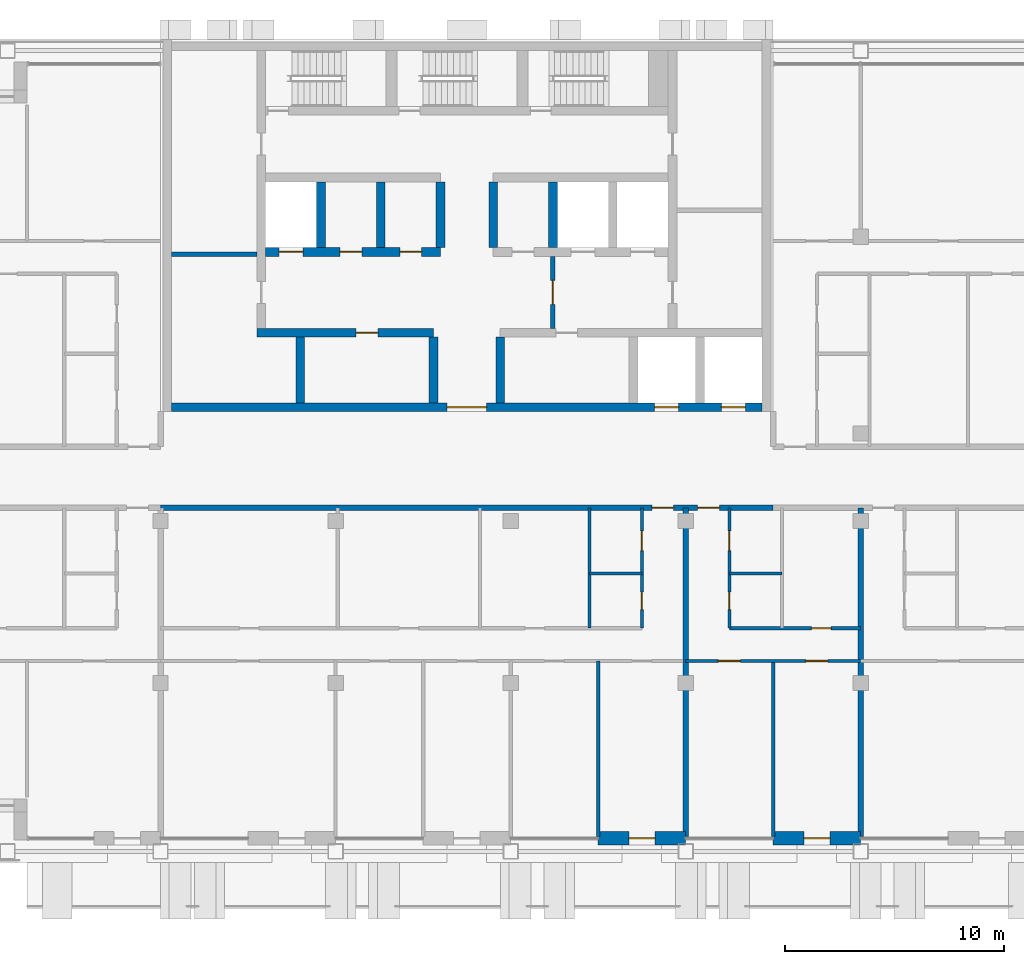
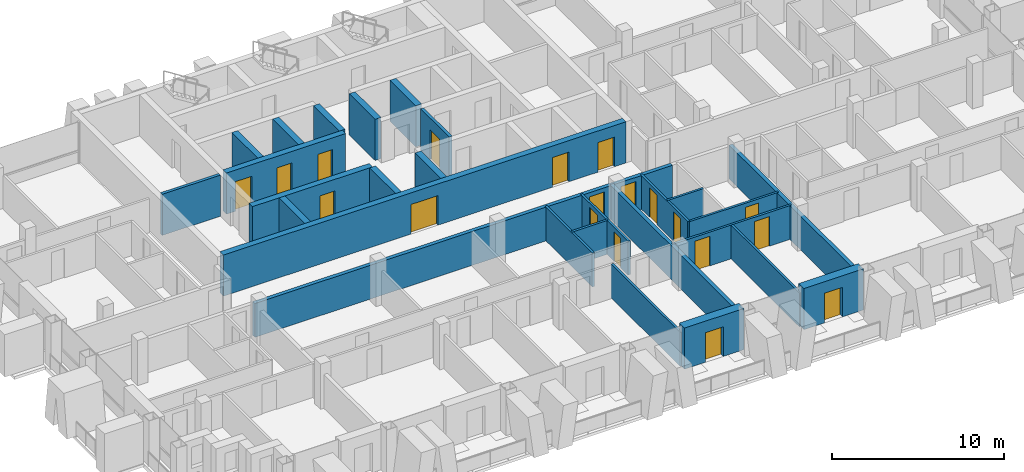
# One storey, part 9 of 16: 27 walls, 19 doors, 19 openings.
"""IFC4 building model written with IfcOpenShell, lengths in metres."""

from ifc_helpers import new_model, si_unit, direction, frame, frame_2d, origin, place, context, subcontext, project, spatial, rectangle, extrude, material, layer, layer_set, type_object, element, fill, save


model = new_model("IFC4")

# Units and contexts
model_context = context("Model", 3, precision=1e-05, world=origin(), true_north=direction((0.0, 1.0)))
body_context = subcontext(model_context, "Body", "Model", "MODEL_VIEW")
ifc_project = project(units=[si_unit("LENGTHUNIT", "METRE"), si_unit("AREAUNIT", "SQUARE_METRE"), si_unit("VOLUMEUNIT", "CUBIC_METRE"), si_unit("PLANEANGLEUNIT", "RADIAN"), si_unit("MASSUNIT", "GRAM", prefix="KILO")], contexts=[model_context])

# Site, building, storey
site_placement = place(None, origin())
site = spatial("IfcSite", under=ifc_project, at=site_placement, CompositionType="ELEMENT")
building_placement = place(site_placement, origin())
building = spatial("IfcBuilding", under=site, at=building_placement, Name="Vidyagriha Tower", CompositionType="ELEMENT")
storey_placement = place(building_placement, frame((0.0, 0.0, 187.699951171875)))
storey = spatial("IfcBuildingStorey", under=building, at=storey_placement, Name="L49", CompositionType="ELEMENT", Elevation=187.699951171875)

# Wall, opening, door
ifc_material_1 = material(Name="Precast concrete C40/50 with brick facing", Category="concrete")
ifc_layer_1 = layer(ifc_material_1, 0.60009765625)
ifc_layer_set_1 = layer_set([ifc_layer_1], Name="Precast concrete C40/50 with brick facing")
wall_type_1 = type_object("IfcWallType", Name="Brick-faced precast wall 600", PredefinedType="STANDARD", material=ifc_layer_set_1)
wall_1_placement = place(storey_placement, frame((6.0, -16.5, 0.0)))
wall_1 = element("IfcWall", 1, at=wall_1_placement, inside=storey, type_object=wall_type_1, Name="Brick door bay wall L49 R23.8", PredefinedType="STANDARD", context=body_context, shape_type="SweptSolid", body=[
    extrude(rectangle(XDim=4.0, YDim=0.60009765625, at=frame_2d((2.0, 0.0))), origin(), (0.0, 0.0, 1.0), 2.920166015625),
])
opening_1_placement = place(wall_1_placement, frame((1.39990234375, 0.0, 0.0)))
opening_1 = element("IfcOpeningElement", 2, at=opening_1_placement, cuts=wall_1, Name="Opening D49-72", PredefinedType="OPENING", context=body_context, shape_type="SweptSolid", body=[
    extrude(rectangle(XDim=1.199951171875, YDim=2.10009765625, at=frame_2d((0.60009765625, 1.050048828125))), frame((0.0, 0.31005859375, 0.0), z_axis=(0.0, -1.0, 0.0), x_axis=(1.0, 0.0, 0.0)), (0.0, 0.0, 1.0), 0.6201171875),
])
ifc_material_2 = material(Name="Aluminium framed glazed sliding door", Category="aluminium")
door_type_1 = type_object("IfcDoorType", Name="Balcony sliding door 1200x2100", OperationType="NOTDEFINED", PredefinedType="DOOR", material=ifc_material_2)
door_1_placement = place(opening_1_placement, origin())
door_1 = element("IfcDoor", 3, at=door_1_placement, inside=storey, type_object=door_type_1, Name="Door D49-72", OperationType="SLIDING_TO_LEFT", OverallHeight=2.10009765625, OverallWidth=1.199951171875, PredefinedType="DOOR", context=body_context, shape_type="SweptSolid", body=[
    extrude(rectangle(XDim=1.199951171875, YDim=2.10009765625, at=frame_2d((0.60009765625, 1.050048828125))), frame((0.0, 0.02490234375, 0.0), z_axis=(0.0, -1.0, 0.0), x_axis=(1.0, 0.0, 0.0)), (0.0, 0.0, 1.0), 0.050048828125),
])
fill(opening_1, door_1)

wall_2_placement = place(storey_placement, frame((14.0, -16.5, 0.0)))
wall_2 = element("IfcWall", 4, at=wall_2_placement, inside=storey, type_object=wall_type_1, Name="Brick door bay wall L49 R23.10", PredefinedType="STANDARD", context=body_context, shape_type="SweptSolid", body=[
    extrude(rectangle(XDim=4.0, YDim=0.60009765625, at=frame_2d((2.0, 0.0))), origin(), (0.0, 0.0, 1.0), 2.920166015625),
])
opening_2_placement = place(wall_2_placement, frame((1.39990234375, 0.0, 0.0)))
opening_2 = element("IfcOpeningElement", 5, at=opening_2_placement, cuts=wall_2, Name="Opening D49-73", PredefinedType="OPENING", context=body_context, shape_type="SweptSolid", body=[
    extrude(rectangle(XDim=1.199951171875, YDim=2.10009765625, at=frame_2d((0.60009765625, 1.050048828125))), frame((0.0, 0.31005859375, 0.0), z_axis=(0.0, -1.0, 0.0), x_axis=(1.0, 0.0, 0.0)), (0.0, 0.0, 1.0), 0.6201171875),
])
door_2_placement = place(opening_2_placement, origin())
door_2 = element("IfcDoor", 6, at=door_2_placement, inside=storey, type_object=door_type_1, Name="Door D49-73", OperationType="SLIDING_TO_LEFT", OverallHeight=2.10009765625, OverallWidth=1.199951171875, PredefinedType="DOOR", context=body_context, shape_type="SweptSolid", body=[
    extrude(rectangle(XDim=1.199951171875, YDim=2.10009765625, at=frame_2d((0.60009765625, 1.050048828125))), frame((0.0, 0.02490234375, 0.0), z_axis=(0.0, -1.0, 0.0), x_axis=(1.0, 0.0, 0.0)), (0.0, 0.0, 1.0), 0.050048828125),
])
fill(opening_2, door_2)

# Wall, openings, doors
ifc_material_3 = material(Name="Concrete C60/75", Category="concrete")
ifc_layer_2 = layer(ifc_material_3, 0.39990234375)
ifc_layer_set_2 = layer_set([ifc_layer_2], Name="Concrete C60/75")
wall_type_2 = type_object("IfcWallType", Name="Core shear wall 400 mm", PredefinedType="SHEAR", material=ifc_layer_set_2)
wall_3_placement = place(storey_placement, frame((-13.5, 3.199951171875, 0.0)))
wall_3 = element("IfcWall", 7, at=wall_3_placement, inside=storey, type_object=wall_type_2, Name="Core front wall", PredefinedType="SHEAR", context=body_context, shape_type="SweptSolid", body=[
    extrude(rectangle(XDim=27.0, YDim=0.39990234375, at=frame_2d((13.5, 0.0))), origin(), (0.0, 0.0, 1.0), 2.920166015625),
])
opening_3_placement = place(wall_3_placement, frame((22.083251953125, 0.0, 0.0)))
opening_3 = element("IfcOpeningElement", 8, at=opening_3_placement, cuts=wall_3, Name="Opening LD49-01", PredefinedType="OPENING", context=body_context, shape_type="SweptSolid", body=[
    extrude(rectangle(XDim=1.10009765625, YDim=2.10009765625, at=frame_2d((0.550048828125, 1.050048828125))), frame((0.0, 0.2099609375, 0.0), z_axis=(0.0, -1.0, 0.0), x_axis=(1.0, 0.0, 0.0)), (0.0, 0.0, 1.0), 0.419921875),
])
opening_4_placement = place(wall_3_placement, frame((25.127685546875, 0.0, 0.0)))
opening_4 = element("IfcOpeningElement", 9, at=opening_4_placement, cuts=wall_3, Name="Opening LD49-02", PredefinedType="OPENING", context=body_context, shape_type="SweptSolid", body=[
    extrude(rectangle(XDim=1.10009765625, YDim=2.10009765625, at=frame_2d((0.550048828125, 1.050048828125))), frame((0.0, 0.2099609375, 0.0), z_axis=(0.0, -1.0, 0.0), x_axis=(1.0, 0.0, 0.0)), (0.0, 0.0, 1.0), 0.419921875),
])
opening_5_placement = place(wall_3_placement, frame((12.60009765625, 0.0, 0.0)))
opening_5 = element("IfcOpeningElement", 10, at=opening_5_placement, cuts=wall_3, Name="Opening D49-01", PredefinedType="OPENING", context=body_context, shape_type="SweptSolid", body=[
    extrude(rectangle(XDim=1.800048828125, YDim=2.10009765625, at=frame_2d((0.89990234375, 1.050048828125))), frame((0.0, 0.2099609375, 0.0), z_axis=(0.0, -1.0, 0.0), x_axis=(1.0, 0.0, 0.0)), (0.0, 0.0, 1.0), 0.419921875),
])
ifc_material_4 = material(Name="Hollow metal door leaf")
door_type_2 = type_object("IfcDoorType", Name="Core lobby double door 1800 x 2100 mm EI 60", OperationType="NOTDEFINED", PredefinedType="DOOR", material=ifc_material_4)
door_3_placement = place(opening_5_placement, frame((1.800048828125, 0.0, 0.0), z_axis=(0.0, 0.0, 1.0), x_axis=(-1.0, 0.0, 0.0)))
door_3 = element("IfcDoor", 11, at=door_3_placement, inside=storey, type_object=door_type_2, Name="Core entrance door L49", OperationType="DOUBLE_DOOR_SINGLE_SWING", OverallHeight=2.10009765625, OverallWidth=1.800048828125, PredefinedType="DOOR", context=body_context, shape_type="SweptSolid", body=[
    extrude(rectangle(XDim=1.800048828125, YDim=2.10009765625, at=frame_2d((0.89990234375, 1.050048828125))), frame((0.0, 0.02490234375, 0.0), z_axis=(0.0, -1.0, 0.0), x_axis=(1.0, 0.0, 0.0)), (0.0, 0.0, 1.0), 0.050048828125),
])
fill(opening_5, door_3)
ifc_material_5 = material(Name="Stainless steel sliding door panel", Category="steel")
door_type_3 = type_object("IfcDoorType", Name="Lift landing door 1100 x 2100 mm EI 90", OperationType="NOTDEFINED", PredefinedType="DOOR", material=ifc_material_5)
door_4_placement = place(opening_3_placement, origin())
door_4 = element("IfcDoor", 12, at=door_4_placement, inside=storey, type_object=door_type_3, Name="Landing door MR1 L49", OperationType="SLIDING_TO_LEFT", OverallHeight=2.10009765625, OverallWidth=1.10009765625, PredefinedType="DOOR", context=body_context, shape_type="SweptSolid", body=[
    extrude(rectangle(XDim=1.10009765625, YDim=2.10009765625, at=frame_2d((0.550048828125, 1.050048828125))), frame((0.0, 0.02490234375, 0.0), z_axis=(0.0, -1.0, 0.0), x_axis=(1.0, 0.0, 0.0)), (0.0, 0.0, 1.0), 0.050048828125),
])
fill(opening_3, door_4)
door_5_placement = place(opening_4_placement, origin())
door_5 = element("IfcDoor", 13, at=door_5_placement, inside=storey, type_object=door_type_3, Name="Landing door MR2 L49", OperationType="SLIDING_TO_LEFT", OverallHeight=2.10009765625, OverallWidth=1.10009765625, PredefinedType="DOOR", context=body_context, shape_type="SweptSolid", body=[
    extrude(rectangle(XDim=1.10009765625, YDim=2.10009765625, at=frame_2d((0.550048828125, 1.050048828125))), frame((0.0, 0.02490234375, 0.0), z_axis=(0.0, -1.0, 0.0), x_axis=(1.0, 0.0, 0.0)), (0.0, 0.0, 1.0), 0.050048828125),
])
fill(opening_4, door_5)

# Wall, opening, door
wall_4_placement = place(storey_placement, frame((-9.60009765625, 6.60009765625, 0.0)))
wall_4 = element("IfcWall", 14, at=wall_4_placement, inside=storey, type_object=wall_type_2, Name="Core lobby south wall west", PredefinedType="SHEAR", context=body_context, shape_type="SweptSolid", body=[
    extrude(rectangle(XDim=8.077880859375, YDim=0.39990234375, at=frame_2d((4.0390625, 0.0))), origin(), (0.0, 0.0, 1.0), 2.920166015625),
])
opening_6_placement = place(wall_4_placement, frame((4.533203125, 0.0, 0.0)))
opening_6 = element("IfcOpeningElement", 15, at=opening_6_placement, cuts=wall_4, Name="Opening D49-02", PredefinedType="OPENING", context=body_context, shape_type="SweptSolid", body=[
    extrude(rectangle(XDim=1.0, YDim=2.10009765625, at=frame_2d((0.5, 1.050048828125))), frame((0.0, 0.2099609375, 0.0), z_axis=(0.0, -1.0, 0.0), x_axis=(1.0, 0.0, 0.0)), (0.0, 0.0, 1.0), 0.419921875),
])
ifc_material_6 = material(Name="Hollow metal door leaf")
door_type_4 = type_object("IfcDoorType", Name="Core room door 1000 x 2100 mm EI 60", OperationType="NOTDEFINED", PredefinedType="DOOR", material=ifc_material_6)
door_6_placement = place(opening_6_placement, origin())
door_6 = element("IfcDoor", 16, at=door_6_placement, inside=storey, type_object=door_type_4, Name="Door Switchgear Room 49.01", OperationType="SINGLE_SWING_RIGHT", OverallHeight=2.10009765625, OverallWidth=1.0, PredefinedType="DOOR", context=body_context, shape_type="SweptSolid", body=[
    extrude(rectangle(XDim=1.0, YDim=2.10009765625, at=frame_2d((0.5, 1.050048828125))), frame((0.0, 0.02490234375, 0.0), z_axis=(0.0, -1.0, 0.0), x_axis=(1.0, 0.0, 0.0)), (0.0, 0.0, 1.0), 0.050048828125),
])
fill(opening_6, door_6)

# Walls
for number, where, z_axis, x_axis, name in (
    (17, (-7.611083984375, 3.39990234375, 0.0), (0.0, 0.0, 1.0), (0.0, 1.0, 0.0), "Core bay wall S2"),
    (18, (-1.522216796875, 3.39990234375, 0.0), (0.0, 0.0, 1.0), (0.0, 1.0, 0.0), "Core bay wall S4"),
    (19, (1.522216796875, 3.39990234375, 0.0), (0.0, 0.0, 1.0), (0.0, 1.0, 0.0), "Core bay wall S5"),
):
    element("IfcWall", number, at=place(storey_placement, frame(where, z_axis=z_axis, x_axis=x_axis)), inside=storey, type_object=wall_type_2, Name=name, PredefinedType="SHEAR", context=body_context, shape_type="SweptSolid", body=[
        extrude(rectangle(XDim=3.0, YDim=0.39990234375, at=frame_2d((1.5, 0.0))), origin(), (0.0, 0.0, 1.0), 2.920166015625),
    ])

# Wall, openings, doors
wall_5_placement = place(storey_placement, frame((-9.199951171875, 10.300048828125, 0.0)))
wall_5 = element("IfcWall", 20, at=wall_5_placement, inside=storey, type_object=wall_type_2, Name="Core row N front wall", PredefinedType="SHEAR", context=body_context, shape_type="SweptSolid", body=[
    extrude(rectangle(XDim=8.0, YDim=0.39990234375, at=frame_2d((4.0, 0.0))), origin(), (0.0, 0.0, 1.0), 2.920166015625),
])
opening_7_placement = place(wall_5_placement, frame((0.61669921875, 0.0, 0.0)))
opening_7 = element("IfcOpeningElement", 21, at=opening_7_placement, cuts=wall_5, Name="Opening LD49-03", PredefinedType="OPENING", context=body_context, shape_type="SweptSolid", body=[
    extrude(rectangle(XDim=1.10009765625, YDim=2.10009765625, at=frame_2d((0.550048828125, 1.050048828125))), frame((0.0, 0.2099609375, 0.0), z_axis=(0.0, -1.0, 0.0), x_axis=(1.0, 0.0, 0.0)), (0.0, 0.0, 1.0), 0.419921875),
])
opening_8_placement = place(wall_5_placement, frame((3.39990234375, 0.0, 0.0)))
opening_8 = element("IfcOpeningElement", 22, at=opening_8_placement, cuts=wall_5, Name="Opening D49-04", PredefinedType="OPENING", context=body_context, shape_type="SweptSolid", body=[
    extrude(rectangle(XDim=1.0, YDim=2.10009765625, at=frame_2d((0.5, 1.050048828125))), frame((0.0, 0.2099609375, 0.0), z_axis=(0.0, -1.0, 0.0), x_axis=(1.0, 0.0, 0.0)), (0.0, 0.0, 1.0), 0.419921875),
])
opening_9_placement = place(wall_5_placement, frame((6.13330078125, 0.0, 0.0)))
opening_9 = element("IfcOpeningElement", 23, at=opening_9_placement, cuts=wall_5, Name="Opening D49-05", PredefinedType="OPENING", context=body_context, shape_type="SweptSolid", body=[
    extrude(rectangle(XDim=1.0, YDim=2.10009765625, at=frame_2d((0.5, 1.050048828125))), frame((0.0, 0.2099609375, 0.0), z_axis=(0.0, -1.0, 0.0), x_axis=(1.0, 0.0, 0.0)), (0.0, 0.0, 1.0), 0.419921875),
])
door_7_placement = place(opening_8_placement, frame((1.0, 0.0, 0.0), z_axis=(0.0, 0.0, 1.0), x_axis=(-1.0, 0.0, 0.0)))
door_7 = element("IfcDoor", 24, at=door_7_placement, inside=storey, type_object=door_type_4, Name="Door Refuse Room 49.14", OperationType="SINGLE_SWING_RIGHT", OverallHeight=2.10009765625, OverallWidth=1.0, PredefinedType="DOOR", context=body_context, shape_type="SweptSolid", body=[
    extrude(rectangle(XDim=1.0, YDim=2.10009765625, at=frame_2d((0.5, 1.050048828125))), frame((0.0, 0.02490234375, 0.0), z_axis=(0.0, -1.0, 0.0), x_axis=(1.0, 0.0, 0.0)), (0.0, 0.0, 1.0), 0.050048828125),
])
fill(opening_8, door_7)
door_8_placement = place(opening_9_placement, frame((1.0, 0.0, 0.0), z_axis=(0.0, 0.0, 1.0), x_axis=(-1.0, 0.0, 0.0)))
door_8 = element("IfcDoor", 25, at=door_8_placement, inside=storey, type_object=door_type_4, Name="Door Pressurisation Plant Room 49.15", OperationType="SINGLE_SWING_LEFT", OverallHeight=2.10009765625, OverallWidth=1.0, PredefinedType="DOOR", context=body_context, shape_type="SweptSolid", body=[
    extrude(rectangle(XDim=1.0, YDim=2.10009765625, at=frame_2d((0.5, 1.050048828125))), frame((0.0, 0.02490234375, 0.0), z_axis=(0.0, -1.0, 0.0), x_axis=(1.0, 0.0, 0.0)), (0.0, 0.0, 1.0), 0.050048828125),
])
fill(opening_9, door_8)
door_9_placement = place(opening_7_placement, origin())
door_9 = element("IfcDoor", 26, at=door_9_placement, inside=storey, type_object=door_type_3, Name="Landing door MR3 L49", OperationType="SLIDING_TO_LEFT", OverallHeight=2.10009765625, OverallWidth=1.10009765625, PredefinedType="DOOR", context=body_context, shape_type="SweptSolid", body=[
    extrude(rectangle(XDim=1.10009765625, YDim=2.10009765625, at=frame_2d((0.550048828125, 1.050048828125))), frame((0.0, 0.02490234375, 0.0), z_axis=(0.0, -1.0, 0.0), x_axis=(1.0, 0.0, 0.0)), (0.0, 0.0, 1.0), 0.050048828125),
])
fill(opening_7, door_9)

# Walls
for number, where, z_axis, x_axis, name in (
    (27, (-6.666748046875, 10.5, 0.0), (0.0, 0.0, 1.0), (0.0, 1.0, 0.0), "Core bay wall N1"),
    (28, (-3.933349609375, 10.5, 0.0), (0.0, 0.0, 1.0), (0.0, 1.0, 0.0), "Core bay wall N2"),
    (29, (-1.199951171875, 10.5, 0.0), (0.0, 0.0, 1.0), (0.0, 1.0, 0.0), "Core bay wall N3"),
    (30, (1.199951171875, 10.5, 0.0), (0.0, 0.0, 1.0), (0.0, 1.0, 0.0), "Core bay wall N4"),
    (31, (3.933349609375, 10.5, 0.0), (0.0, 0.0, 1.0), (0.0, 1.0, 0.0), "Core bay wall N5"),
):
    element("IfcWall", number, at=place(storey_placement, frame(where, z_axis=z_axis, x_axis=x_axis)), inside=storey, type_object=wall_type_2, Name=name, PredefinedType="SHEAR", context=body_context, shape_type="SweptSolid", body=[
        extrude(rectangle(XDim=3.0, YDim=0.39990234375, at=frame_2d((1.5, 0.0))), origin(), (0.0, 0.0, 1.0), 2.920166015625),
    ])

# Wall, openings, doors
ifc_material_7 = material(Name="Fired clay brick masonry", Category="masonry")
ifc_layer_3 = layer(ifc_material_7, 0.25)
ifc_layer_set_3 = layer_set([ifc_layer_3], Name="Fired clay brick masonry")
wall_type_3 = type_object("IfcWallType", Name="Fired clay brick corridor wall 250", PredefinedType="PARTITIONING", material=ifc_layer_set_3)
wall_6_placement = place(storey_placement, frame((14.0, -1.39990234375, 0.0), z_axis=(0.0, 0.0, 1.0), x_axis=(-1.0, 0.0, 0.0)))
wall_6 = element("IfcWall", 32, at=wall_6_placement, inside=storey, type_object=wall_type_3, Name="Wall all-L49-w115", PredefinedType="PARTITIONING", context=body_context, shape_type="SweptSolid", body=[
    extrude(rectangle(XDim=28.0, YDim=0.25, at=frame_2d((14.0, 0.0))), origin(), (0.0, 0.0, 1.0), 2.400146484375),
])
opening_10_placement = place(wall_6_placement, frame((4.547119140625, 0.0, 0.0)))
opening_10 = element("IfcOpeningElement", 33, at=opening_10_placement, cuts=wall_6, Name="Opening D49-31", PredefinedType="OPENING", context=body_context, shape_type="SweptSolid", body=[
    extrude(rectangle(XDim=1.0, YDim=2.10009765625, at=frame_2d((0.5, 1.050048828125))), frame((0.0, 0.135009765625, 0.0), z_axis=(0.0, -1.0, 0.0), x_axis=(1.0, 0.0, 0.0)), (0.0, 0.0, 1.0), 0.27001953125),
])
opening_11_placement = place(wall_6_placement, frame((2.452880859375, 0.0, 0.0)))
opening_11 = element("IfcOpeningElement", 34, at=opening_11_placement, cuts=wall_6, Name="Opening D49-37", PredefinedType="OPENING", context=body_context, shape_type="SweptSolid", body=[
    extrude(rectangle(XDim=1.0, YDim=2.10009765625, at=frame_2d((0.5, 1.050048828125))), frame((0.0, 0.135009765625, 0.0), z_axis=(0.0, -1.0, 0.0), x_axis=(1.0, 0.0, 0.0)), (0.0, 0.0, 1.0), 0.27001953125),
])
ifc_material_8 = material(Name="Fire-rated timber door leaf EI 60", Category="wood")
door_type_5 = type_object("IfcDoorType", Name="Flat entrance fire door 1000x2100", OperationType="NOTDEFINED", PredefinedType="DOOR", material=ifc_material_8)
door_10_placement = place(opening_10_placement, origin())
door_10 = element("IfcDoor", 35, at=door_10_placement, inside=storey, type_object=door_type_5, Name="Door D49-31", OperationType="SINGLE_SWING_LEFT", OverallHeight=2.10009765625, OverallWidth=1.0, PredefinedType="DOOR", context=body_context, shape_type="SweptSolid", body=[
    extrude(rectangle(XDim=1.0, YDim=2.10009765625, at=frame_2d((0.5, 1.050048828125))), frame((0.0, 0.02490234375, 0.0), z_axis=(0.0, -1.0, 0.0), x_axis=(1.0, 0.0, 0.0)), (0.0, 0.0, 1.0), 0.050048828125),
])
fill(opening_10, door_10)
door_11_placement = place(opening_11_placement, origin())
door_11 = element("IfcDoor", 36, at=door_11_placement, inside=storey, type_object=door_type_5, Name="Door D49-37", OperationType="SINGLE_SWING_RIGHT", OverallHeight=2.10009765625, OverallWidth=1.0, PredefinedType="DOOR", context=body_context, shape_type="SweptSolid", body=[
    extrude(rectangle(XDim=1.0, YDim=2.10009765625, at=frame_2d((0.5, 1.050048828125))), frame((0.0, 0.02490234375, 0.0), z_axis=(0.0, -1.0, 0.0), x_axis=(1.0, 0.0, 0.0)), (0.0, 0.0, 1.0), 0.050048828125),
])
fill(opening_11, door_11)

# Walls
ifc_material_9 = material(Name="Fired clay brick masonry", Category="masonry")
ifc_layer_4 = layer(ifc_material_9, 0.25)
ifc_layer_set_4 = layer_set([ifc_layer_4], Name="Fired clay brick masonry")
wall_type_4 = type_object("IfcWallType", Name="Fired clay brick demising wall 250", PredefinedType="PARTITIONING", material=ifc_layer_set_4)
for number, where, z_axis, x_axis, name in (
    (37, (10.0, -1.39990234375, 0.0), (0.0, 0.0, 1.0), (0.0, -1.0, 0.0), "Wall all-L49-w048"),
    (38, (18.0, -1.39990234375, 0.0), (0.0, 0.0, 1.0), (0.0, -1.0, 0.0), "Wall all-L49-w067"),
):
    element("IfcWall", number, at=place(storey_placement, frame(where, z_axis=z_axis, x_axis=x_axis)), inside=storey, type_object=wall_type_4, Name=name, PredefinedType="PARTITIONING", context=body_context, shape_type="SweptSolid", body=[
        extrude(rectangle(XDim=15.010009765625, YDim=0.25, at=frame_2d((7.5048828125, 0.0))), origin(), (0.0, 0.0, 1.0), 2.400146484375),
    ])
ifc_material_10 = material(Name="Gypsum board partition")
ifc_layer_5 = layer(ifc_material_10, 0.14990234375)
ifc_layer_set_5 = layer_set([ifc_layer_5], Name="Gypsum board partition")
wall_type_5 = type_object("IfcWallType", Name="Gypsum board partition 150", PredefinedType="PARTITIONING", material=ifc_layer_set_5)
wall_7_placement = place(storey_placement, frame((8.0, -4.39990234375, 0.0), z_axis=(0.0, 0.0, 1.0), x_axis=(-1.0, 0.0, 0.0)))
element("IfcWall", 39, at=wall_7_placement, inside=storey, type_object=wall_type_5, Name="Wall all-L49-w016", PredefinedType="PARTITIONING", context=body_context, shape_type="SweptSolid", body=[
    extrude(rectangle(XDim=2.39990234375, YDim=0.14990234375, at=frame_2d((1.199951171875, 0.0))), origin(), (0.0, 0.0, 1.0), 2.400146484375),
])
wall_8_placement = place(storey_placement, frame((5.60009765625, -6.89990234375, 0.0), z_axis=(0.0, 0.0, 1.0), x_axis=(0.0, 1.0, 0.0)))
element("IfcWall", 40, at=wall_8_placement, inside=storey, type_object=wall_type_5, Name="Wall all-L49-w017", PredefinedType="PARTITIONING", context=body_context, shape_type="SweptSolid", body=[
    extrude(rectangle(XDim=5.5, YDim=0.14990234375, at=frame_2d((2.75, 0.0))), origin(), (0.0, 0.0, 1.0), 2.400146484375),
])
wall_9_placement = place(storey_placement, frame((6.0, -8.39990234375, 0.0), z_axis=(0.0, 0.0, 1.0), x_axis=(0.0, -1.0, 0.0)))
element("IfcWall", 41, at=wall_9_placement, inside=storey, type_object=wall_type_5, Name="Wall all-L49-w033", PredefinedType="PARTITIONING", context=body_context, shape_type="SweptSolid", body=[
    extrude(rectangle(XDim=8.02099609375, YDim=0.14990234375, at=frame_2d((4.010498046875, 0.0))), origin(), (0.0, 0.0, 1.0), 2.400146484375),
])
wall_10_placement = place(storey_placement, frame((14.39990234375, -4.39990234375, 0.0), z_axis=(0.0, 0.0, 1.0), x_axis=(-1.0, 0.0, 0.0)))
element("IfcWall", 42, at=wall_10_placement, inside=storey, type_object=wall_type_5, Name="Wall all-L49-w039", PredefinedType="PARTITIONING", context=body_context, shape_type="SweptSolid", body=[
    extrude(rectangle(XDim=2.39990234375, YDim=0.14990234375, at=frame_2d((1.199951171875, 0.0))), origin(), (0.0, 0.0, 1.0), 2.400146484375),
])

# Wall, opening, door
wall_11_placement = place(storey_placement, frame((12.0, -6.89990234375, 0.0)))
wall_11 = element("IfcWall", 43, at=wall_11_placement, inside=storey, type_object=wall_type_5, Name="Wall all-L49-w041", PredefinedType="PARTITIONING", context=body_context, shape_type="SweptSolid", body=[
    extrude(rectangle(XDim=6.0, YDim=0.14990234375, at=frame_2d((3.0, 0.0))), origin(), (0.0, 0.0, 1.0), 2.400146484375),
])
opening_12_placement = place(wall_11_placement, frame((3.75, 0.0, 0.0)))
opening_12 = element("IfcOpeningElement", 44, at=opening_12_placement, cuts=wall_11, Name="Opening D49-34", PredefinedType="OPENING", context=body_context, shape_type="SweptSolid", body=[
    extrude(rectangle(XDim=0.89990234375, YDim=2.10009765625, at=frame_2d((0.449951171875, 1.050048828125))), frame((0.0, 0.0849609375, 0.0), z_axis=(0.0, -1.0, 0.0), x_axis=(1.0, 0.0, 0.0)), (0.0, 0.0, 1.0), 0.169921875),
])
ifc_material_11 = material(Name="Timber door leaf", Category="wood")
door_type_6 = type_object("IfcDoorType", Name="Room door 900x2100", OperationType="NOTDEFINED", PredefinedType="DOOR", material=ifc_material_11)
door_12_placement = place(opening_12_placement, origin())
door_12 = element("IfcDoor", 45, at=door_12_placement, inside=storey, type_object=door_type_6, Name="Door D49-34", OperationType="SINGLE_SWING_LEFT", OverallHeight=2.10009765625, OverallWidth=0.89990234375, PredefinedType="DOOR", context=body_context, shape_type="SweptSolid", body=[
    extrude(rectangle(XDim=0.89990234375, YDim=2.10009765625, at=frame_2d((0.449951171875, 1.050048828125))), frame((0.0, 0.02490234375, 0.0), z_axis=(0.0, -1.0, 0.0), x_axis=(1.0, 0.0, 0.0)), (0.0, 0.0, 1.0), 0.050048828125),
])
fill(opening_12, door_12)

# Wall, openings, doors
wall_12_placement = place(storey_placement, frame((18.0, -8.39990234375, 0.0), z_axis=(0.0, 0.0, 1.0), x_axis=(-1.0, 0.0, 0.0)))
wall_12 = element("IfcWall", 46, at=wall_12_placement, inside=storey, type_object=wall_type_5, Name="Wall all-L49-w043", PredefinedType="PARTITIONING", context=body_context, shape_type="SweptSolid", body=[
    extrude(rectangle(XDim=8.0, YDim=0.14990234375, at=frame_2d((4.0, 0.0))), origin(), (0.0, 0.0, 1.0), 2.400146484375),
])
opening_13_placement = place(wall_12_placement, frame((5.5, 0.0, 0.0)))
opening_13 = element("IfcOpeningElement", 47, at=opening_13_placement, cuts=wall_12, Name="Opening D49-35", PredefinedType="OPENING", context=body_context, shape_type="SweptSolid", body=[
    extrude(rectangle(XDim=1.0, YDim=2.10009765625, at=frame_2d((0.5, 1.050048828125))), frame((0.0, 0.0849609375, 0.0), z_axis=(0.0, -1.0, 0.0), x_axis=(1.0, 0.0, 0.0)), (0.0, 0.0, 1.0), 0.169921875),
])
opening_14_placement = place(wall_12_placement, frame((1.5, 0.0, 0.0)))
opening_14 = element("IfcOpeningElement", 48, at=opening_14_placement, cuts=wall_12, Name="Opening D49-36", PredefinedType="OPENING", context=body_context, shape_type="SweptSolid", body=[
    extrude(rectangle(XDim=1.0, YDim=2.10009765625, at=frame_2d((0.5, 1.050048828125))), frame((0.0, 0.0849609375, 0.0), z_axis=(0.0, -1.0, 0.0), x_axis=(1.0, 0.0, 0.0)), (0.0, 0.0, 1.0), 0.169921875),
])
ifc_material_12 = material(Name="Timber door leaf", Category="wood")
door_type_7 = type_object("IfcDoorType", Name="Room door 1000x2100", OperationType="NOTDEFINED", PredefinedType="DOOR", material=ifc_material_12)
door_13_placement = place(opening_13_placement, origin())
door_13 = element("IfcDoor", 49, at=door_13_placement, inside=storey, type_object=door_type_7, Name="Door D49-35", OperationType="SINGLE_SWING_RIGHT", OverallHeight=2.10009765625, OverallWidth=1.0, PredefinedType="DOOR", context=body_context, shape_type="SweptSolid", body=[
    extrude(rectangle(XDim=1.0, YDim=2.10009765625, at=frame_2d((0.5, 1.050048828125))), frame((0.0, 0.02490234375, 0.0), z_axis=(0.0, -1.0, 0.0), x_axis=(1.0, 0.0, 0.0)), (0.0, 0.0, 1.0), 0.050048828125),
])
fill(opening_13, door_13)
door_14_placement = place(opening_14_placement, origin())
door_14 = element("IfcDoor", 50, at=door_14_placement, inside=storey, type_object=door_type_7, Name="Door D49-36", OperationType="SINGLE_SWING_RIGHT", OverallHeight=2.10009765625, OverallWidth=1.0, PredefinedType="DOOR", context=body_context, shape_type="SweptSolid", body=[
    extrude(rectangle(XDim=1.0, YDim=2.10009765625, at=frame_2d((0.5, 1.050048828125))), frame((0.0, 0.02490234375, 0.0), z_axis=(0.0, -1.0, 0.0), x_axis=(1.0, 0.0, 0.0)), (0.0, 0.0, 1.0), 0.050048828125),
])
fill(opening_14, door_14)

# Wall
wall_13_placement = place(storey_placement, frame((14.0, -8.39990234375, 0.0), z_axis=(0.0, 0.0, 1.0), x_axis=(0.0, -1.0, 0.0)))
element("IfcWall", 51, at=wall_13_placement, inside=storey, type_object=wall_type_5, Name="Wall all-L49-w046", PredefinedType="PARTITIONING", context=body_context, shape_type="SweptSolid", body=[
    extrude(rectangle(XDim=8.02099609375, YDim=0.14990234375, at=frame_2d((4.010498046875, 0.0))), origin(), (0.0, 0.0, 1.0), 2.400146484375),
])

# Wall, openings, doors
ifc_material_13 = material(Name="Moisture resistant gypsum board partition")
ifc_layer_6 = layer(ifc_material_13, 0.14990234375)
ifc_layer_set_6 = layer_set([ifc_layer_6], Name="Moisture resistant gypsum board partition")
wall_type_6 = type_object("IfcWallType", Name="Gypsum board wet-area partition 150", PredefinedType="PARTITIONING", material=ifc_layer_set_6)
wall_14_placement = place(storey_placement, frame((8.0, -6.89990234375, 0.0), z_axis=(0.0, 0.0, 1.0), x_axis=(0.0, 1.0, 0.0)))
wall_14 = element("IfcWall", 52, at=wall_14_placement, inside=storey, type_object=wall_type_6, Name="Wall all-L49-w013", PredefinedType="PARTITIONING", context=body_context, shape_type="SweptSolid", body=[
    extrude(rectangle(XDim=5.5, YDim=0.14990234375, at=frame_2d((2.75, 0.0))), origin(), (0.0, 0.0, 1.0), 2.400146484375),
])
opening_15_placement = place(wall_14_placement, frame((3.550048828125, 0.0, 0.0)))
opening_15 = element("IfcOpeningElement", 53, at=opening_15_placement, cuts=wall_14, Name="Opening D49-21", PredefinedType="OPENING", context=body_context, shape_type="SweptSolid", body=[
    extrude(rectangle(XDim=0.89990234375, YDim=2.10009765625, at=frame_2d((0.449951171875, 1.050048828125))), frame((0.0, 0.0849609375, 0.0), z_axis=(0.0, -1.0, 0.0), x_axis=(1.0, 0.0, 0.0)), (0.0, 0.0, 1.0), 0.169921875),
])
opening_16_placement = place(wall_14_placement, frame((0.85009765625, 0.0, 0.0)))
opening_16 = element("IfcOpeningElement", 54, at=opening_16_placement, cuts=wall_14, Name="Opening D49-22", PredefinedType="OPENING", context=body_context, shape_type="SweptSolid", body=[
    extrude(rectangle(XDim=0.800048828125, YDim=2.10009765625, at=frame_2d((0.39990234375, 1.050048828125))), frame((0.0, 0.0849609375, 0.0), z_axis=(0.0, -1.0, 0.0), x_axis=(1.0, 0.0, 0.0)), (0.0, 0.0, 1.0), 0.169921875),
])
ifc_material_14 = material(Name="Timber door leaf", Category="wood")
door_type_8 = type_object("IfcDoorType", Name="Bathroom door 800x2100", OperationType="NOTDEFINED", PredefinedType="DOOR", material=ifc_material_14)
door_15_placement = place(opening_16_placement, origin())
door_15 = element("IfcDoor", 55, at=door_15_placement, inside=storey, type_object=door_type_8, Name="Door D49-22", OperationType="SINGLE_SWING_RIGHT", OverallHeight=2.10009765625, OverallWidth=0.800048828125, PredefinedType="DOOR", context=body_context, shape_type="SweptSolid", body=[
    extrude(rectangle(XDim=0.800048828125, YDim=2.10009765625, at=frame_2d((0.39990234375, 1.050048828125))), frame((0.0, 0.02490234375, 0.0), z_axis=(0.0, -1.0, 0.0), x_axis=(1.0, 0.0, 0.0)), (0.0, 0.0, 1.0), 0.050048828125),
])
fill(opening_16, door_15)
ifc_material_15 = material(Name="Timber door leaf", Category="wood")
door_type_9 = type_object("IfcDoorType", Name="Kitchen door 900x2100", OperationType="NOTDEFINED", PredefinedType="DOOR", material=ifc_material_15)
door_16_placement = place(opening_15_placement, origin())
door_16 = element("IfcDoor", 56, at=door_16_placement, inside=storey, type_object=door_type_9, Name="Door D49-21", OperationType="SINGLE_SWING_LEFT", OverallHeight=2.10009765625, OverallWidth=0.89990234375, PredefinedType="DOOR", context=body_context, shape_type="SweptSolid", body=[
    extrude(rectangle(XDim=0.89990234375, YDim=2.10009765625, at=frame_2d((0.449951171875, 1.050048828125))), frame((0.0, 0.02490234375, 0.0), z_axis=(0.0, -1.0, 0.0), x_axis=(1.0, 0.0, 0.0)), (0.0, 0.0, 1.0), 0.050048828125),
])
fill(opening_15, door_16)

wall_15_placement = place(storey_placement, frame((12.0, -1.39990234375, 0.0), z_axis=(0.0, 0.0, 1.0), x_axis=(0.0, -1.0, 0.0)))
wall_15 = element("IfcWall", 57, at=wall_15_placement, inside=storey, type_object=wall_type_6, Name="Wall all-L49-w036", PredefinedType="PARTITIONING", context=body_context, shape_type="SweptSolid", body=[
    extrude(rectangle(XDim=5.5, YDim=0.14990234375, at=frame_2d((2.75, 0.0))), origin(), (0.0, 0.0, 1.0), 2.400146484375),
])
opening_17_placement = place(wall_15_placement, frame((1.050048828125, 0.0, 0.0)))
opening_17 = element("IfcOpeningElement", 58, at=opening_17_placement, cuts=wall_15, Name="Opening D49-32", PredefinedType="OPENING", context=body_context, shape_type="SweptSolid", body=[
    extrude(rectangle(XDim=0.89990234375, YDim=2.10009765625, at=frame_2d((0.449951171875, 1.050048828125))), frame((0.0, 0.0849609375, 0.0), z_axis=(0.0, -1.0, 0.0), x_axis=(1.0, 0.0, 0.0)), (0.0, 0.0, 1.0), 0.169921875),
])
opening_18_placement = place(wall_15_placement, frame((3.85009765625, 0.0, 0.0)))
opening_18 = element("IfcOpeningElement", 59, at=opening_18_placement, cuts=wall_15, Name="Opening D49-33", PredefinedType="OPENING", context=body_context, shape_type="SweptSolid", body=[
    extrude(rectangle(XDim=0.800048828125, YDim=2.10009765625, at=frame_2d((0.39990234375, 1.050048828125))), frame((0.0, 0.0849609375, 0.0), z_axis=(0.0, -1.0, 0.0), x_axis=(1.0, 0.0, 0.0)), (0.0, 0.0, 1.0), 0.169921875),
])
door_17_placement = place(opening_18_placement, origin())
door_17 = element("IfcDoor", 60, at=door_17_placement, inside=storey, type_object=door_type_8, Name="Door D49-33", OperationType="SINGLE_SWING_RIGHT", OverallHeight=2.10009765625, OverallWidth=0.800048828125, PredefinedType="DOOR", context=body_context, shape_type="SweptSolid", body=[
    extrude(rectangle(XDim=0.800048828125, YDim=2.10009765625, at=frame_2d((0.39990234375, 1.050048828125))), frame((0.0, 0.02490234375, 0.0), z_axis=(0.0, -1.0, 0.0), x_axis=(1.0, 0.0, 0.0)), (0.0, 0.0, 1.0), 0.050048828125),
])
fill(opening_18, door_17)
door_18_placement = place(opening_17_placement, origin())
door_18 = element("IfcDoor", 61, at=door_18_placement, inside=storey, type_object=door_type_9, Name="Door D49-32", OperationType="SINGLE_SWING_LEFT", OverallHeight=2.10009765625, OverallWidth=0.89990234375, PredefinedType="DOOR", context=body_context, shape_type="SweptSolid", body=[
    extrude(rectangle(XDim=0.89990234375, YDim=2.10009765625, at=frame_2d((0.449951171875, 1.050048828125))), frame((0.0, 0.02490234375, 0.0), z_axis=(0.0, -1.0, 0.0), x_axis=(1.0, 0.0, 0.0)), (0.0, 0.0, 1.0), 0.050048828125),
])
fill(opening_17, door_18)

# Wall, opening, door
ifc_material_16 = material(Name="Blockwork 15 MPa", Category="masonry")
ifc_layer_7 = layer(ifc_material_16, 0.199951171875)
ifc_layer_set_7 = layer_set([ifc_layer_7], Name="Blockwork 15 MPa")
wall_type_7 = type_object("IfcWallType", Name="Service room partition 200 mm", PredefinedType="PARTITIONING", material=ifc_layer_set_7)
wall_16_placement = place(storey_placement, frame((3.933349609375, 6.800048828125, 0.0), z_axis=(0.0, 0.0, 1.0), x_axis=(0.0, 1.0, 0.0)))
wall_16 = element("IfcWall", 62, at=wall_16_placement, inside=storey, type_object=wall_type_7, Name="Fire-fighting lobby west wall", PredefinedType="PARTITIONING", context=body_context, shape_type="SweptSolid", body=[
    extrude(rectangle(XDim=3.300048828125, YDim=0.199951171875, at=frame_2d((1.64990234375, 0.0))), origin(), (0.0, 0.0, 1.0), 2.920166015625),
])
opening_19_placement = place(wall_16_placement, frame((1.10009765625, 0.0, 0.0)))
opening_19 = element("IfcOpeningElement", 63, at=opening_19_placement, cuts=wall_16, Name="Opening D49-07", PredefinedType="OPENING", context=body_context, shape_type="SweptSolid", body=[
    extrude(rectangle(XDim=1.10009765625, YDim=2.10009765625, at=frame_2d((0.550048828125, 1.050048828125))), frame((0.0, 0.10986328125, 0.0), z_axis=(0.0, -1.0, 0.0), x_axis=(1.0, 0.0, 0.0)), (0.0, 0.0, 1.0), 0.219970703125),
])
ifc_material_17 = material(Name="Hollow metal door leaf")
door_type_10 = type_object("IfcDoorType", Name="Fire-fighting lobby door 1100 x 2100 mm EI 90", OperationType="NOTDEFINED", PredefinedType="DOOR", material=ifc_material_17)
door_19_placement = place(opening_19_placement, origin())
door_19 = element("IfcDoor", 64, at=door_19_placement, inside=storey, type_object=door_type_10, Name="Fire-fighting lobby door L49", OperationType="SINGLE_SWING_RIGHT", OverallHeight=2.10009765625, OverallWidth=1.10009765625, PredefinedType="DOOR", context=body_context, shape_type="SweptSolid", body=[
    extrude(rectangle(XDim=1.10009765625, YDim=2.10009765625, at=frame_2d((0.550048828125, 1.050048828125))), frame((0.0, 0.02490234375, 0.0), z_axis=(0.0, -1.0, 0.0), x_axis=(1.0, 0.0, 0.0)), (0.0, 0.0, 1.0), 0.050048828125),
])
fill(opening_19, door_19)

# Wall
wall_17_placement = place(storey_placement, frame((-13.5, 10.199951171875, 0.0)))
element("IfcWall", 65, at=wall_17_placement, inside=storey, type_object=wall_type_7, Name="Core room partition W1", PredefinedType="PARTITIONING", context=body_context, shape_type="SweptSolid", body=[
    extrude(rectangle(XDim=3.89990234375, YDim=0.199951171875, at=frame_2d((1.949951171875, 0.0))), origin(), (0.0, 0.0, 1.0), 2.920166015625),
])

save(model, "model.ifc")
